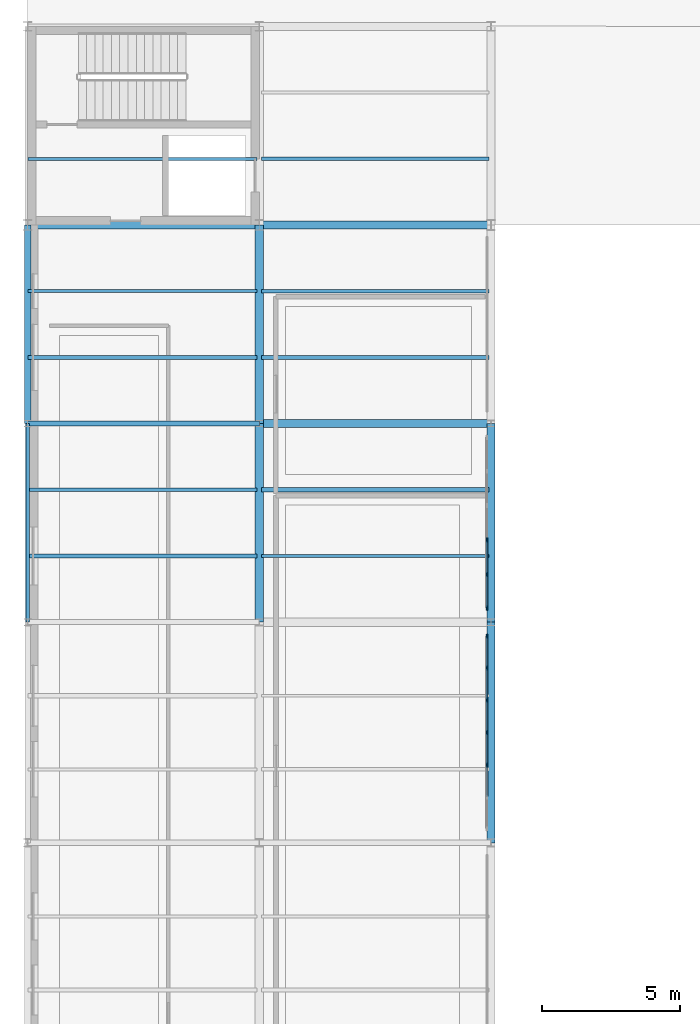
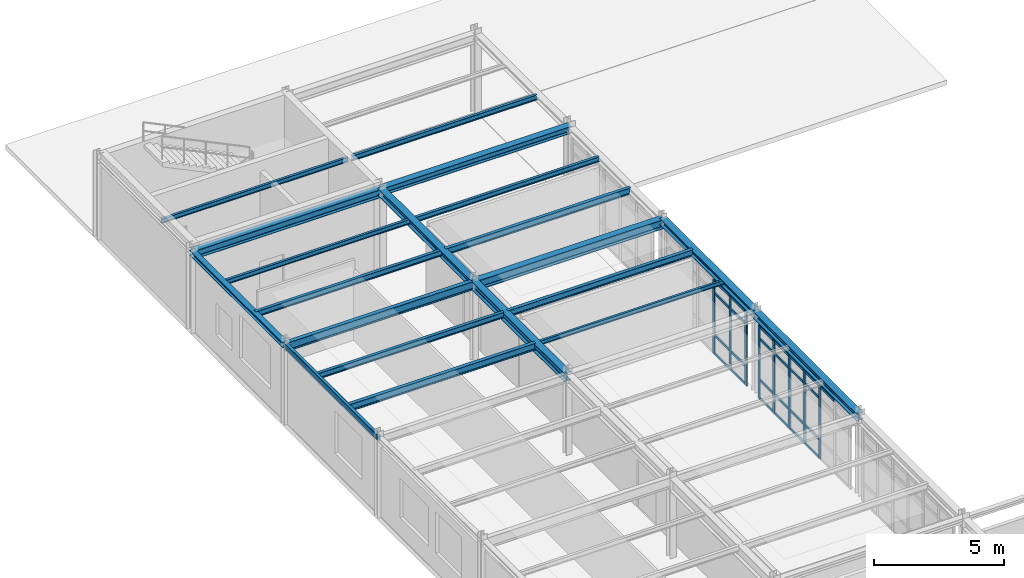
# One storey, part 29 of 70: 33 members, 20 beams, 2 elements without a shape of their own.
"""IFC4 building model written with IfcOpenShell, lengths in metres."""

from ifc_helpers import new_model, si_unit, derived_unit, direction, frame, origin, origin_2d, place, context, subcontext, project, spatial, rectangle, hollow_rectangle, i_section, extrude, material, layer, layer_set, material_profile, profile_set, type_object, element, aggregate, save


model = new_model("IFC4")

# Units and contexts
model_context = context("Model", 3, precision=1e-05, world=origin(), true_north=direction((0.0, 1.0)))
body_context = subcontext(model_context, "Body", "Model", "MODEL_VIEW")
ifc_project = project(units=[si_unit("LENGTHUNIT", "METRE"), si_unit("AREAUNIT", "SQUARE_METRE"), si_unit("VOLUMEUNIT", "CUBIC_METRE"), si_unit("PLANEANGLEUNIT", "RADIAN"), si_unit("MASSUNIT", "GRAM", prefix="KILO"), derived_unit("THERMALTRANSMITTANCEUNIT", [(si_unit("POWERUNIT", "WATT"), 1), (si_unit("AREAUNIT", "SQUARE_METRE"), -1), (si_unit("THERMODYNAMICTEMPERATUREUNIT", "KELVIN"), -1)])], contexts=[model_context])

# Site, building, storey
site_placement = place(None, origin())
site = spatial("IfcSite", under=ifc_project, at=site_placement, CompositionType="ELEMENT")
building_placement = place(site_placement, origin())
building = spatial("IfcBuilding", under=site, at=building_placement, Name="Yasenodar Specialist Clinic", CompositionType="ELEMENT")
storey_placement = place(building_placement, frame((0.0, 0.0, 13.199951171875)))
storey = spatial("IfcBuildingStorey", under=building, at=storey_placement, Name="L03", CompositionType="ELEMENT", Elevation=13.199951171875)

# Beams
ifc_material_1 = material(Name="Steel S355", Category="steel")
ifc_material_profile_1 = material_profile(ifc_material_1, i_section(OverallWidth=0.300048828125, OverallDepth=0.330078125, WebThickness=0.009521484375, FlangeThickness=0.0166015625, FilletRadius=0.027099609375, at=origin_2d()), Name="HEA 340")
ifc_profile_set_1 = profile_set([ifc_material_profile_1], Name="Steel S355")
beam_type_1 = type_object("IfcBeamType", Name="BM-HEA340", PredefinedType="BEAM", material=ifc_profile_set_1)
beam_1_placement = place(storey_placement, frame((8.39990234375, 97.199951171875, 3.635009765625), z_axis=(1.0, 0.0, 0.0), x_axis=(0.0, 1.0, 0.0)))
element("IfcBeam", 1, at=beam_1_placement, inside=storey, type_object=beam_type_1, Name="L03 Primary E-W Girder", PredefinedType="BEAM", context=body_context, shape_type="SweptSolid", body=[
    extrude(i_section(OverallWidth=0.300048828125, OverallDepth=0.330078125, WebThickness=0.009521484375, FlangeThickness=0.0166015625, FilletRadius=0.027099609375, at=origin_2d()), origin(), (0.0, 0.0, 1.0), 8.400146484375),
])
ifc_material_profile_2 = material_profile(ifc_material_1, i_section(OverallWidth=0.300048828125, OverallDepth=0.389892578125, WebThickness=0.010986328125, FlangeThickness=0.01904296875, FilletRadius=0.027099609375, at=origin_2d()), Name="HEA 400")
ifc_profile_set_2 = profile_set([ifc_material_profile_2], Name="Steel S355")
beam_type_2 = type_object("IfcBeamType", Name="BM-HEA400", PredefinedType="BEAM", material=ifc_profile_set_2)
beam_2_placement = place(storey_placement, frame((0.0, 97.199951171875, 3.60498046875), z_axis=(1.0, 0.0, 0.0), x_axis=(0.0, 1.0, 0.0)))
element("IfcBeam", 2, at=beam_2_placement, inside=storey, type_object=beam_type_2, Name="L03 Primary E-W Girder", PredefinedType="BEAM", context=body_context, shape_type="SweptSolid", body=[
    extrude(i_section(OverallWidth=0.300048828125, OverallDepth=0.389892578125, WebThickness=0.010986328125, FlangeThickness=0.01904296875, FilletRadius=0.027099609375, at=origin_2d()), origin(), (0.0, 0.0, 1.0), 8.39990234375),
])
ifc_material_profile_3 = material_profile(ifc_material_1, i_section(OverallWidth=0.300048828125, OverallDepth=0.43994140625, WebThickness=0.011474609375, FlangeThickness=0.02099609375, FilletRadius=0.027099609375, at=origin_2d()), Name="HEA 450")
ifc_profile_set_3 = profile_set([ifc_material_profile_3], Name="Steel S355")
beam_type_3 = type_object("IfcBeamType", Name="BM-HEA450", PredefinedType="BEAM", material=ifc_profile_set_3)
beam_3_placement = place(storey_placement, frame((8.39990234375, 90.0, 3.580078125), z_axis=(1.0, 0.0, 0.0), x_axis=(0.0, 1.0, 0.0)))
element("IfcBeam", 3, at=beam_3_placement, inside=storey, type_object=beam_type_3, Name="L03 Primary E-W Girder", PredefinedType="BEAM", context=body_context, shape_type="SweptSolid", body=[
    extrude(i_section(OverallWidth=0.300048828125, OverallDepth=0.43994140625, WebThickness=0.011474609375, FlangeThickness=0.02099609375, FilletRadius=0.027099609375, at=origin_2d()), origin(), (0.0, 0.0, 1.0), 8.400146484375),
])
ifc_material_profile_4 = material_profile(ifc_material_1, i_section(OverallWidth=0.300048828125, OverallDepth=0.300048828125, WebThickness=0.010986328125, FlangeThickness=0.01904296875, FilletRadius=0.027099609375, at=origin_2d()), Name="HEB 300")
ifc_profile_set_4 = profile_set([ifc_material_profile_4], Name="Steel S355")
beam_type_4 = type_object("IfcBeamType", Name="BM-HEB300", PredefinedType="BEAM", material=ifc_profile_set_4)
beam_4_placement = place(storey_placement, frame((16.800048828125, 82.800048828125, 3.650146484375), z_axis=(0.0, 1.0, 0.0), x_axis=(-1.0, 0.0, 0.0)))
element("IfcBeam", 4, at=beam_4_placement, inside=storey, type_object=beam_type_4, Name="L03 Primary N-S Girder", PredefinedType="BEAM", context=body_context, shape_type="SweptSolid", body=[
    extrude(i_section(OverallWidth=0.300048828125, OverallDepth=0.300048828125, WebThickness=0.010986328125, FlangeThickness=0.01904296875, FilletRadius=0.027099609375, at=origin_2d()), origin(), (0.0, 0.0, 1.0), 7.199951171875),
])
ifc_material_profile_5 = material_profile(ifc_material_1, i_section(OverallWidth=0.300048828125, OverallDepth=0.340087890625, WebThickness=0.011962890625, FlangeThickness=0.021484375, FilletRadius=0.027099609375, at=origin_2d()), Name="HEB 340")
ifc_profile_set_5 = profile_set([ifc_material_profile_5], Name="Steel S355")
beam_type_5 = type_object("IfcBeamType", Name="BM-HEB340", PredefinedType="BEAM", material=ifc_profile_set_5)
beam_5_placement = place(storey_placement, frame((8.39990234375, 90.0, 3.630126953125), z_axis=(0.0, 1.0, 0.0), x_axis=(-1.0, 0.0, 0.0)))
element("IfcBeam", 5, at=beam_5_placement, inside=storey, type_object=beam_type_5, Name="L03 Primary N-S Girder", PredefinedType="BEAM", context=body_context, shape_type="SweptSolid", body=[
    extrude(i_section(OverallWidth=0.300048828125, OverallDepth=0.340087890625, WebThickness=0.011962890625, FlangeThickness=0.021484375, FilletRadius=0.027099609375, at=origin_2d()), origin(), (0.0, 0.0, 1.0), 7.199951171875),
])
beam_6_placement = place(storey_placement, frame((16.800048828125, 74.800048828125, 3.630126953125), z_axis=(0.0, 1.0, 0.0), x_axis=(-1.0, 0.0, 0.0)))
element("IfcBeam", 6, at=beam_6_placement, inside=storey, type_object=beam_type_5, Name="L03 Primary N-S Girder", PredefinedType="BEAM", context=body_context, shape_type="SweptSolid", body=[
    extrude(i_section(OverallWidth=0.300048828125, OverallDepth=0.340087890625, WebThickness=0.011962890625, FlangeThickness=0.021484375, FilletRadius=0.027099609375, at=origin_2d()), origin(), (0.0, 0.0, 1.0), 8.0),
])
ifc_material_profile_6 = material_profile(ifc_material_1, i_section(OverallWidth=0.300048828125, OverallDepth=0.39990234375, WebThickness=0.013427734375, FlangeThickness=0.02392578125, FilletRadius=0.027099609375, at=origin_2d()), Name="HEB 400")
ifc_profile_set_6 = profile_set([ifc_material_profile_6], Name="Steel S355")
beam_type_6 = type_object("IfcBeamType", Name="BM-HEB400", PredefinedType="BEAM", material=ifc_profile_set_6)
beam_7_placement = place(storey_placement, frame((8.39990234375, 82.800048828125, 3.60009765625), z_axis=(0.0, 1.0, 0.0), x_axis=(-1.0, 0.0, 0.0)))
element("IfcBeam", 7, at=beam_7_placement, inside=storey, type_object=beam_type_6, Name="L03 Primary N-S Girder", PredefinedType="BEAM", context=body_context, shape_type="SweptSolid", body=[
    extrude(i_section(OverallWidth=0.300048828125, OverallDepth=0.39990234375, WebThickness=0.013427734375, FlangeThickness=0.02392578125, FilletRadius=0.027099609375, at=origin_2d()), origin(), (0.0, 0.0, 1.0), 7.199951171875),
])
ifc_material_profile_7 = material_profile(ifc_material_1, i_section(OverallWidth=0.179931640625, OverallDepth=0.39990234375, WebThickness=0.008544921875, FlangeThickness=0.013427734375, FilletRadius=0.02099609375, at=origin_2d()), Name="IPE 400")
ifc_profile_set_7 = profile_set([ifc_material_profile_7], Name="Steel S355")
beam_type_7 = type_object("IfcBeamType", Name="BM-IPE400", PredefinedType="BEAM", material=ifc_profile_set_7)
beam_8_placement = place(storey_placement, frame((0.0, 90.0, 3.60009765625), z_axis=(1.0, 0.0, 0.0), x_axis=(0.0, 1.0, 0.0)))
element("IfcBeam", 8, at=beam_8_placement, inside=storey, type_object=beam_type_7, Name="L03 Primary E-W Girder", PredefinedType="BEAM", context=body_context, shape_type="SweptSolid", body=[
    extrude(i_section(OverallWidth=0.179931640625, OverallDepth=0.39990234375, WebThickness=0.008544921875, FlangeThickness=0.013427734375, FilletRadius=0.02099609375, at=origin_2d()), origin(), (0.0, 0.0, 1.0), 8.39990234375),
])

# Curtain wall, members
ifc_material_2 = material(Name="Bronze Anodized Aluminium and Triple Low-E Glass", Category="aluminium")
ifc_layer = layer(ifc_material_2, 0.202880859375)
ifc_layer_set = layer_set([ifc_layer], Name="Bronze Anodized Aluminium and Triple Low-E Glass")
curtain_wall_type = type_object("IfcCurtainWallType", Name="CW-SYS-04", PredefinedType="USERDEFINED", material=ifc_layer_set)
curtain_wall_1_placement = place(storey_placement, origin())
curtain_wall_1 = element("IfcCurtainWall", 9, at=curtain_wall_1_placement, inside=storey, type_object=curtain_wall_type, Name="L03 Unitised Curtain Wall 132", ObjectType="UNITISED CURTAIN WALL", PredefinedType="USERDEFINED")
ifc_material_3 = material(Name="Bronze Anodized Aluminium", Category="aluminium")
ifc_material_profile_8 = material_profile(ifc_material_3, rectangle(XDim=0.06005859375, YDim=0.159912109375, at=origin_2d()), Name="CW-MULL 60x160")
ifc_profile_set_8 = profile_set([ifc_material_profile_8], Name="Bronze Anodized Aluminium")
member_type_1 = type_object("IfcMemberType", Name="CW-MULL-160", PredefinedType="MULLION", material=ifc_profile_set_8)
member_1_placement = place(storey_placement, frame((16.64990234375, 85.77587890625, 0.0), z_axis=(0.0, 0.0, 1.0), x_axis=(1.0, 0.0, 0.0)))
member_1 = element("IfcMember", 10, at=member_1_placement, type_object=member_type_1, Name="CW-04 mullion 4", PredefinedType="MULLION", context=body_context, shape_type="SweptSolid", body=[
    extrude(rectangle(XDim=0.06005859375, YDim=0.159912109375, at=origin_2d()), origin(), (0.0, 0.0, 1.0), 3.47802734375),
])
member_2_placement = place(storey_placement, frame((16.64990234375, 84.528076171875, 0.0), z_axis=(0.0, 0.0, 1.0), x_axis=(1.0, 0.0, 0.0)))
member_2 = element("IfcMember", 11, at=member_2_placement, type_object=member_type_1, Name="CW-04 mullion 5", PredefinedType="MULLION", context=body_context, shape_type="SweptSolid", body=[
    extrude(rectangle(XDim=0.06005859375, YDim=0.159912109375, at=origin_2d()), origin(), (0.0, 0.0, 1.0), 3.47802734375),
])
member_3_placement = place(storey_placement, frame((16.64990234375, 83.31005859375, 0.0), z_axis=(0.0, 0.0, 1.0), x_axis=(1.0, 0.0, 0.0)))
member_3 = element("IfcMember", 12, at=member_3_placement, type_object=member_type_1, Name="CW-04 mullion 6", PredefinedType="MULLION", context=body_context, shape_type="SweptSolid", body=[
    extrude(rectangle(XDim=0.06005859375, YDim=0.159912109375, at=origin_2d()), origin(), (0.0, 0.0, 1.0), 3.47802734375),
])

curtain_wall_2_placement = place(storey_placement, origin())
curtain_wall_2 = element("IfcCurtainWall", 13, at=curtain_wall_2_placement, inside=storey, type_object=curtain_wall_type, Name="L03 Unitised Curtain Wall 133", ObjectType="UNITISED CURTAIN WALL", PredefinedType="USERDEFINED")
member_4_placement = place(storey_placement, frame((16.64990234375, 82.2900390625, 0.0), z_axis=(0.0, 0.0, 1.0), x_axis=(1.0, 0.0, 0.0)))
member_4 = element("IfcMember", 14, at=member_4_placement, type_object=member_type_1, Name="CW-04 mullion 1", PredefinedType="MULLION", context=body_context, shape_type="SweptSolid", body=[
    extrude(rectangle(XDim=0.06005859375, YDim=0.159912109375, at=origin_2d()), origin(), (0.0, 0.0, 1.0), 3.43798828125),
])
member_5_placement = place(storey_placement, frame((16.64990234375, 81.146728515625, 0.0), z_axis=(0.0, 0.0, 1.0), x_axis=(1.0, 0.0, 0.0)))
member_5 = element("IfcMember", 15, at=member_5_placement, type_object=member_type_1, Name="CW-04 mullion 2", PredefinedType="MULLION", context=body_context, shape_type="SweptSolid", body=[
    extrude(rectangle(XDim=0.06005859375, YDim=0.159912109375, at=origin_2d()), origin(), (0.0, 0.0, 1.0), 3.43798828125),
])
member_6_placement = place(storey_placement, frame((16.64990234375, 79.973388671875, 0.0), z_axis=(0.0, 0.0, 1.0), x_axis=(1.0, 0.0, 0.0)))
member_6 = element("IfcMember", 16, at=member_6_placement, type_object=member_type_1, Name="CW-04 mullion 3", PredefinedType="MULLION", context=body_context, shape_type="SweptSolid", body=[
    extrude(rectangle(XDim=0.06005859375, YDim=0.159912109375, at=origin_2d()), origin(), (0.0, 0.0, 1.0), 3.43798828125),
])
member_7_placement = place(storey_placement, frame((16.64990234375, 78.800048828125, 0.0), z_axis=(0.0, 0.0, 1.0), x_axis=(1.0, 0.0, 0.0)))
member_7 = element("IfcMember", 17, at=member_7_placement, type_object=member_type_1, Name="CW-04 mullion 4", PredefinedType="MULLION", context=body_context, shape_type="SweptSolid", body=[
    extrude(rectangle(XDim=0.06005859375, YDim=0.159912109375, at=origin_2d()), origin(), (0.0, 0.0, 1.0), 3.43798828125),
])
member_8_placement = place(storey_placement, frame((16.64990234375, 77.626708984375, 0.0), z_axis=(0.0, 0.0, 1.0), x_axis=(1.0, 0.0, 0.0)))
member_8 = element("IfcMember", 18, at=member_8_placement, type_object=member_type_1, Name="CW-04 mullion 5", PredefinedType="MULLION", context=body_context, shape_type="SweptSolid", body=[
    extrude(rectangle(XDim=0.06005859375, YDim=0.159912109375, at=origin_2d()), origin(), (0.0, 0.0, 1.0), 3.43798828125),
])

# Member
ifc_material_profile_9 = material_profile(ifc_material_3, rectangle(XDim=0.06005859375, YDim=0.1201171875, at=origin_2d()), Name="CW-TRAN 60x120")
ifc_profile_set_9 = profile_set([ifc_material_profile_9], Name="Bronze Anodized Aluminium")
member_type_2 = type_object("IfcMemberType", Name="CW-TRAN-120", PredefinedType="USERDEFINED", material=ifc_profile_set_9)
member_9_placement = place(storey_placement, frame((16.64990234375, 85.74609375, 0.030029296875), z_axis=(0.0, -1.0, 0.0), x_axis=(1.0, 0.0, 0.0)))
member_9 = element("IfcMember", 19, at=member_9_placement, type_object=member_type_2, Name="CW-04 transom 4.1", ObjectType="TRANSOM", PredefinedType="USERDEFINED", context=body_context, shape_type="SweptSolid", body=[
    extrude(rectangle(XDim=0.06005859375, YDim=0.1201171875, at=origin_2d()), origin(), (0.0, 0.0, 1.0), 1.18798828125),
])

member_10_placement = place(storey_placement, frame((16.64990234375, 85.74609375, 0.900146484375), z_axis=(0.0, -1.0, 0.0), x_axis=(1.0, 0.0, 0.0)))
member_10 = element("IfcMember", 20, at=member_10_placement, type_object=member_type_2, Name="CW-04 transom 4.2", ObjectType="TRANSOM", PredefinedType="USERDEFINED", context=body_context, shape_type="SweptSolid", body=[
    extrude(rectangle(XDim=0.06005859375, YDim=0.1201171875, at=origin_2d()), origin(), (0.0, 0.0, 1.0), 1.18798828125),
])

member_11_placement = place(storey_placement, frame((16.64990234375, 85.74609375, 2.8779296875), z_axis=(0.0, -1.0, 0.0), x_axis=(1.0, 0.0, 0.0)))
member_11 = element("IfcMember", 21, at=member_11_placement, type_object=member_type_2, Name="CW-04 transom 4.3", ObjectType="TRANSOM", PredefinedType="USERDEFINED", context=body_context, shape_type="SweptSolid", body=[
    extrude(rectangle(XDim=0.06005859375, YDim=0.1201171875, at=origin_2d()), origin(), (0.0, 0.0, 1.0), 1.18798828125),
])

member_12_placement = place(storey_placement, frame((16.64990234375, 85.74609375, 3.447998046875), z_axis=(0.0, -1.0, 0.0), x_axis=(1.0, 0.0, 0.0)))
member_12 = element("IfcMember", 22, at=member_12_placement, type_object=member_type_2, Name="CW-04 transom 4.4", ObjectType="TRANSOM", PredefinedType="USERDEFINED", context=body_context, shape_type="SweptSolid", body=[
    extrude(rectangle(XDim=0.06005859375, YDim=0.1201171875, at=origin_2d()), origin(), (0.0, 0.0, 1.0), 1.18798828125),
])

member_13_placement = place(storey_placement, frame((16.64990234375, 84.498046875, 0.030029296875), z_axis=(0.0, -1.0, 0.0), x_axis=(1.0, 0.0, 0.0)))
member_13 = element("IfcMember", 23, at=member_13_placement, type_object=member_type_2, Name="CW-04 transom 5.1", ObjectType="TRANSOM", PredefinedType="USERDEFINED", context=body_context, shape_type="SweptSolid", body=[
    extrude(rectangle(XDim=0.06005859375, YDim=0.1201171875, at=origin_2d()), origin(), (0.0, 0.0, 1.0), 1.157958984375),
])

member_14_placement = place(storey_placement, frame((16.64990234375, 84.498046875, 0.900146484375), z_axis=(0.0, -1.0, 0.0), x_axis=(1.0, 0.0, 0.0)))
member_14 = element("IfcMember", 24, at=member_14_placement, type_object=member_type_2, Name="CW-04 transom 5.2", ObjectType="TRANSOM", PredefinedType="USERDEFINED", context=body_context, shape_type="SweptSolid", body=[
    extrude(rectangle(XDim=0.06005859375, YDim=0.1201171875, at=origin_2d()), origin(), (0.0, 0.0, 1.0), 1.157958984375),
])

member_15_placement = place(storey_placement, frame((16.64990234375, 84.498046875, 2.8779296875), z_axis=(0.0, -1.0, 0.0), x_axis=(1.0, 0.0, 0.0)))
member_15 = element("IfcMember", 25, at=member_15_placement, type_object=member_type_2, Name="CW-04 transom 5.3", ObjectType="TRANSOM", PredefinedType="USERDEFINED", context=body_context, shape_type="SweptSolid", body=[
    extrude(rectangle(XDim=0.06005859375, YDim=0.1201171875, at=origin_2d()), origin(), (0.0, 0.0, 1.0), 1.157958984375),
])

member_16_placement = place(storey_placement, frame((16.64990234375, 84.498046875, 3.447998046875), z_axis=(0.0, -1.0, 0.0), x_axis=(1.0, 0.0, 0.0)))
member_16 = element("IfcMember", 26, at=member_16_placement, type_object=member_type_2, Name="CW-04 transom 5.4", ObjectType="TRANSOM", PredefinedType="USERDEFINED", context=body_context, shape_type="SweptSolid", body=[
    extrude(rectangle(XDim=0.06005859375, YDim=0.1201171875, at=origin_2d()), origin(), (0.0, 0.0, 1.0), 1.157958984375),
])

aggregate(curtain_wall_1, [member_1, member_2, member_3, member_9, member_10, member_11, member_12, member_13, member_14, member_15, member_16])

member_17_placement = place(storey_placement, frame((16.64990234375, 82.260009765625, 0.030029296875), z_axis=(0.0, -1.0, 0.0), x_axis=(1.0, 0.0, 0.0)))
member_17 = element("IfcMember", 27, at=member_17_placement, type_object=member_type_2, Name="CW-04 transom 1.1", ObjectType="TRANSOM", PredefinedType="USERDEFINED", context=body_context, shape_type="SweptSolid", body=[
    extrude(rectangle(XDim=0.06005859375, YDim=0.1201171875, at=origin_2d()), origin(), (0.0, 0.0, 1.0), 1.083251953125),
])

member_18_placement = place(storey_placement, frame((16.64990234375, 82.260009765625, 0.900146484375), z_axis=(0.0, -1.0, 0.0), x_axis=(1.0, 0.0, 0.0)))
member_18 = element("IfcMember", 28, at=member_18_placement, type_object=member_type_2, Name="CW-04 transom 1.2", ObjectType="TRANSOM", PredefinedType="USERDEFINED", context=body_context, shape_type="SweptSolid", body=[
    extrude(rectangle(XDim=0.06005859375, YDim=0.1201171875, at=origin_2d()), origin(), (0.0, 0.0, 1.0), 1.083251953125),
])

member_19_placement = place(storey_placement, frame((16.64990234375, 82.260009765625, 2.838134765625), z_axis=(0.0, -1.0, 0.0), x_axis=(1.0, 0.0, 0.0)))
member_19 = element("IfcMember", 29, at=member_19_placement, type_object=member_type_2, Name="CW-04 transom 1.3", ObjectType="TRANSOM", PredefinedType="USERDEFINED", context=body_context, shape_type="SweptSolid", body=[
    extrude(rectangle(XDim=0.06005859375, YDim=0.1201171875, at=origin_2d()), origin(), (0.0, 0.0, 1.0), 1.083251953125),
])

member_20_placement = place(storey_placement, frame((16.64990234375, 82.260009765625, 3.407958984375), z_axis=(0.0, -1.0, 0.0), x_axis=(1.0, 0.0, 0.0)))
member_20 = element("IfcMember", 30, at=member_20_placement, type_object=member_type_2, Name="CW-04 transom 1.4", ObjectType="TRANSOM", PredefinedType="USERDEFINED", context=body_context, shape_type="SweptSolid", body=[
    extrude(rectangle(XDim=0.06005859375, YDim=0.1201171875, at=origin_2d()), origin(), (0.0, 0.0, 1.0), 1.083251953125),
])

member_21_placement = place(storey_placement, frame((16.64990234375, 81.11669921875, 0.030029296875), z_axis=(0.0, -1.0, 0.0), x_axis=(1.0, 0.0, 0.0)))
member_21 = element("IfcMember", 31, at=member_21_placement, type_object=member_type_2, Name="CW-04 transom 2.1", ObjectType="TRANSOM", PredefinedType="USERDEFINED", context=body_context, shape_type="SweptSolid", body=[
    extrude(rectangle(XDim=0.06005859375, YDim=0.1201171875, at=origin_2d()), origin(), (0.0, 0.0, 1.0), 1.11328125),
])

member_22_placement = place(storey_placement, frame((16.64990234375, 81.11669921875, 0.900146484375), z_axis=(0.0, -1.0, 0.0), x_axis=(1.0, 0.0, 0.0)))
member_22 = element("IfcMember", 32, at=member_22_placement, type_object=member_type_2, Name="CW-04 transom 2.2", ObjectType="TRANSOM", PredefinedType="USERDEFINED", context=body_context, shape_type="SweptSolid", body=[
    extrude(rectangle(XDim=0.06005859375, YDim=0.1201171875, at=origin_2d()), origin(), (0.0, 0.0, 1.0), 1.11328125),
])

member_23_placement = place(storey_placement, frame((16.64990234375, 81.11669921875, 2.838134765625), z_axis=(0.0, -1.0, 0.0), x_axis=(1.0, 0.0, 0.0)))
member_23 = element("IfcMember", 33, at=member_23_placement, type_object=member_type_2, Name="CW-04 transom 2.3", ObjectType="TRANSOM", PredefinedType="USERDEFINED", context=body_context, shape_type="SweptSolid", body=[
    extrude(rectangle(XDim=0.06005859375, YDim=0.1201171875, at=origin_2d()), origin(), (0.0, 0.0, 1.0), 1.11328125),
])

member_24_placement = place(storey_placement, frame((16.64990234375, 81.11669921875, 3.407958984375), z_axis=(0.0, -1.0, 0.0), x_axis=(1.0, 0.0, 0.0)))
member_24 = element("IfcMember", 34, at=member_24_placement, type_object=member_type_2, Name="CW-04 transom 2.4", ObjectType="TRANSOM", PredefinedType="USERDEFINED", context=body_context, shape_type="SweptSolid", body=[
    extrude(rectangle(XDim=0.06005859375, YDim=0.1201171875, at=origin_2d()), origin(), (0.0, 0.0, 1.0), 1.11328125),
])

member_25_placement = place(storey_placement, frame((16.64990234375, 79.943359375, 0.030029296875), z_axis=(0.0, -1.0, 0.0), x_axis=(1.0, 0.0, 0.0)))
member_25 = element("IfcMember", 35, at=member_25_placement, type_object=member_type_2, Name="CW-04 transom 3.1", ObjectType="TRANSOM", PredefinedType="USERDEFINED", context=body_context, shape_type="SweptSolid", body=[
    extrude(rectangle(XDim=0.06005859375, YDim=0.1201171875, at=origin_2d()), origin(), (0.0, 0.0, 1.0), 1.11328125),
])

member_26_placement = place(storey_placement, frame((16.64990234375, 79.943359375, 0.900146484375), z_axis=(0.0, -1.0, 0.0), x_axis=(1.0, 0.0, 0.0)))
member_26 = element("IfcMember", 36, at=member_26_placement, type_object=member_type_2, Name="CW-04 transom 3.2", ObjectType="TRANSOM", PredefinedType="USERDEFINED", context=body_context, shape_type="SweptSolid", body=[
    extrude(rectangle(XDim=0.06005859375, YDim=0.1201171875, at=origin_2d()), origin(), (0.0, 0.0, 1.0), 1.11328125),
])

member_27_placement = place(storey_placement, frame((16.64990234375, 79.943359375, 2.838134765625), z_axis=(0.0, -1.0, 0.0), x_axis=(1.0, 0.0, 0.0)))
member_27 = element("IfcMember", 37, at=member_27_placement, type_object=member_type_2, Name="CW-04 transom 3.3", ObjectType="TRANSOM", PredefinedType="USERDEFINED", context=body_context, shape_type="SweptSolid", body=[
    extrude(rectangle(XDim=0.06005859375, YDim=0.1201171875, at=origin_2d()), origin(), (0.0, 0.0, 1.0), 1.11328125),
])

member_28_placement = place(storey_placement, frame((16.64990234375, 79.943359375, 3.407958984375), z_axis=(0.0, -1.0, 0.0), x_axis=(1.0, 0.0, 0.0)))
member_28 = element("IfcMember", 38, at=member_28_placement, type_object=member_type_2, Name="CW-04 transom 3.4", ObjectType="TRANSOM", PredefinedType="USERDEFINED", context=body_context, shape_type="SweptSolid", body=[
    extrude(rectangle(XDim=0.06005859375, YDim=0.1201171875, at=origin_2d()), origin(), (0.0, 0.0, 1.0), 1.11328125),
])

member_29_placement = place(storey_placement, frame((16.64990234375, 78.77001953125, 0.030029296875), z_axis=(0.0, -1.0, 0.0), x_axis=(1.0, 0.0, 0.0)))
member_29 = element("IfcMember", 39, at=member_29_placement, type_object=member_type_2, Name="CW-04 transom 4.1", ObjectType="TRANSOM", PredefinedType="USERDEFINED", context=body_context, shape_type="SweptSolid", body=[
    extrude(rectangle(XDim=0.06005859375, YDim=0.1201171875, at=origin_2d()), origin(), (0.0, 0.0, 1.0), 1.11328125),
])

member_30_placement = place(storey_placement, frame((16.64990234375, 78.77001953125, 0.900146484375), z_axis=(0.0, -1.0, 0.0), x_axis=(1.0, 0.0, 0.0)))
member_30 = element("IfcMember", 40, at=member_30_placement, type_object=member_type_2, Name="CW-04 transom 4.2", ObjectType="TRANSOM", PredefinedType="USERDEFINED", context=body_context, shape_type="SweptSolid", body=[
    extrude(rectangle(XDim=0.06005859375, YDim=0.1201171875, at=origin_2d()), origin(), (0.0, 0.0, 1.0), 1.11328125),
])

member_31_placement = place(storey_placement, frame((16.64990234375, 78.77001953125, 2.838134765625), z_axis=(0.0, -1.0, 0.0), x_axis=(1.0, 0.0, 0.0)))
member_31 = element("IfcMember", 41, at=member_31_placement, type_object=member_type_2, Name="CW-04 transom 4.3", ObjectType="TRANSOM", PredefinedType="USERDEFINED", context=body_context, shape_type="SweptSolid", body=[
    extrude(rectangle(XDim=0.06005859375, YDim=0.1201171875, at=origin_2d()), origin(), (0.0, 0.0, 1.0), 1.11328125),
])

member_32_placement = place(storey_placement, frame((16.64990234375, 78.77001953125, 3.407958984375), z_axis=(0.0, -1.0, 0.0), x_axis=(1.0, 0.0, 0.0)))
member_32 = element("IfcMember", 42, at=member_32_placement, type_object=member_type_2, Name="CW-04 transom 4.4", ObjectType="TRANSOM", PredefinedType="USERDEFINED", context=body_context, shape_type="SweptSolid", body=[
    extrude(rectangle(XDim=0.06005859375, YDim=0.1201171875, at=origin_2d()), origin(), (0.0, 0.0, 1.0), 1.11328125),
])

member_33_placement = place(storey_placement, frame((16.64990234375, 77.5966796875, 3.407958984375), z_axis=(0.0, -1.0, 0.0), x_axis=(1.0, 0.0, 0.0)))
member_33 = element("IfcMember", 43, at=member_33_placement, type_object=member_type_2, Name="CW-04 transom 5.4", ObjectType="TRANSOM", PredefinedType="USERDEFINED", context=body_context, shape_type="SweptSolid", body=[
    extrude(rectangle(XDim=0.06005859375, YDim=0.1201171875, at=origin_2d()), origin(), (0.0, 0.0, 1.0), 1.11328125),
])

aggregate(curtain_wall_2, [member_4, member_5, member_6, member_7, member_8, member_17, member_18, member_19, member_20, member_21, member_22, member_23, member_24, member_25, member_26, member_27, member_28, member_29, member_30, member_31, member_32, member_33])

# Beams
ifc_material_profile_10 = material_profile(ifc_material_1, i_section(OverallWidth=0.10009765625, OverallDepth=0.199951171875, WebThickness=0.005615234375, FlangeThickness=0.008544921875, FilletRadius=0.011962890625, at=origin_2d()), Name="IPE 200")
ifc_profile_set_10 = profile_set([ifc_material_profile_10], Name="Steel S355")
beam_type_8 = type_object("IfcBeamType", Name="JS-IPE200", PredefinedType="JOIST", material=ifc_profile_set_10)
beam_9_placement = place(storey_placement, frame((8.47998046875, 85.199951171875, 3.699951171875), z_axis=(1.0, 0.0, 0.0), x_axis=(0.0, 1.0, 0.0)))
element("IfcBeam", 44, at=beam_9_placement, inside=storey, type_object=beam_type_8, Name="L03 Composite Floor Joist", PredefinedType="JOIST", context=body_context, shape_type="SweptSolid", body=[
    extrude(i_section(OverallWidth=0.10009765625, OverallDepth=0.199951171875, WebThickness=0.005615234375, FlangeThickness=0.008544921875, FilletRadius=0.011962890625, at=origin_2d()), origin(), (0.0, 0.0, 1.0), 8.239990234375),
])
ifc_material_profile_11 = material_profile(ifc_material_1, i_section(OverallWidth=0.110107421875, OverallDepth=0.219970703125, WebThickness=0.005859375, FlangeThickness=0.00927734375, FilletRadius=0.011962890625, at=origin_2d()), Name="IPE 220")
ifc_profile_set_11 = profile_set([ifc_material_profile_11], Name="Steel S355")
beam_type_9 = type_object("IfcBeamType", Name="JS-IPE220", PredefinedType="JOIST", material=ifc_profile_set_11)
for number, where, z_axis, x_axis, name in (
    (45, (0.014892578125, 94.800048828125, 3.68994140625), (1.0, 0.0, 0.0), (0.0, 1.0, 0.0), "L03 Composite Floor Joist"),
    (46, (0.014892578125, 99.60009765625, 3.68994140625), (1.0, 0.0, 0.0), (0.0, 1.0, 0.0), "L03 Composite Floor Joist"),
):
    element("IfcBeam", number, at=place(storey_placement, frame(where, z_axis=z_axis, x_axis=x_axis)), inside=storey, type_object=beam_type_9, Name=name, PredefinedType="JOIST", context=body_context, shape_type="SweptSolid", body=[
        extrude(i_section(OverallWidth=0.110107421875, OverallDepth=0.219970703125, WebThickness=0.005859375, FlangeThickness=0.00927734375, FilletRadius=0.011962890625, at=origin_2d()), origin(), (0.0, 0.0, 1.0), 8.30517578125),
    ])
ifc_material_profile_12 = material_profile(ifc_material_1, i_section(OverallWidth=0.1201171875, OverallDepth=0.239990234375, WebThickness=0.006103515625, FlangeThickness=0.009765625, FilletRadius=0.014892578125, at=origin_2d()), Name="IPE 240")
ifc_profile_set_12 = profile_set([ifc_material_profile_12], Name="Steel S355")
beam_type_10 = type_object("IfcBeamType", Name="JS-IPE240", PredefinedType="JOIST", material=ifc_profile_set_12)
for number, where, z_axis, x_axis, name in (
    (47, (8.47998046875, 94.800048828125, 3.679931640625), (1.0, 0.0, 0.0), (0.0, 1.0, 0.0), "L03 Composite Floor Joist"),
    (48, (8.47998046875, 99.60009765625, 3.679931640625), (1.0, 0.0, 0.0), (0.0, 1.0, 0.0), "L03 Composite Floor Joist"),
):
    element("IfcBeam", number, at=place(storey_placement, frame(where, z_axis=z_axis, x_axis=x_axis)), inside=storey, type_object=beam_type_10, Name=name, PredefinedType="JOIST", context=body_context, shape_type="SweptSolid", body=[
        extrude(i_section(OverallWidth=0.1201171875, OverallDepth=0.239990234375, WebThickness=0.006103515625, FlangeThickness=0.009765625, FilletRadius=0.014892578125, at=origin_2d()), origin(), (0.0, 0.0, 1.0), 8.239990234375),
    ])
ifc_material_profile_13 = material_profile(ifc_material_1, i_section(OverallWidth=0.135009765625, OverallDepth=0.27001953125, WebThickness=0.006591796875, FlangeThickness=0.01025390625, FilletRadius=0.014892578125, at=origin_2d()), Name="IPE 270")
ifc_profile_set_13 = profile_set([ifc_material_profile_13], Name="Steel S355")
beam_type_11 = type_object("IfcBeamType", Name="JS-IPE270", PredefinedType="JOIST", material=ifc_profile_set_13)
for number, where, z_axis, x_axis, name in (
    (49, (0.014892578125, 87.60009765625, 3.6650390625), (1.0, 0.0, 0.0), (0.0, 1.0, 0.0), "L03 Composite Floor Joist"),
    (50, (0.014892578125, 92.39990234375, 3.6650390625), (1.0, 0.0, 0.0), (0.0, 1.0, 0.0), "L03 Composite Floor Joist"),
):
    element("IfcBeam", number, at=place(storey_placement, frame(where, z_axis=z_axis, x_axis=x_axis)), inside=storey, type_object=beam_type_11, Name=name, PredefinedType="JOIST", context=body_context, shape_type="SweptSolid", body=[
        extrude(i_section(OverallWidth=0.135009765625, OverallDepth=0.27001953125, WebThickness=0.006591796875, FlangeThickness=0.01025390625, FilletRadius=0.014892578125, at=origin_2d()), origin(), (0.0, 0.0, 1.0), 8.30517578125),
    ])
ifc_material_profile_14 = material_profile(ifc_material_1, i_section(OverallWidth=0.14990234375, OverallDepth=0.300048828125, WebThickness=0.007080078125, FlangeThickness=0.0107421875, FilletRadius=0.014892578125, at=origin_2d()), Name="IPE 300")
ifc_profile_set_14 = profile_set([ifc_material_profile_14], Name="Steel S355")
beam_type_12 = type_object("IfcBeamType", Name="JS-IPE300", PredefinedType="JOIST", material=ifc_profile_set_14)
for number, where, z_axis, x_axis, name in (
    (51, (8.47998046875, 87.60009765625, 3.650146484375), (1.0, 0.0, 0.0), (0.0, 1.0, 0.0), "L03 Composite Floor Joist"),
    (52, (8.47998046875, 92.39990234375, 3.650146484375), (1.0, 0.0, 0.0), (0.0, 1.0, 0.0), "L03 Composite Floor Joist"),
):
    element("IfcBeam", number, at=place(storey_placement, frame(where, z_axis=z_axis, x_axis=x_axis)), inside=storey, type_object=beam_type_12, Name=name, PredefinedType="JOIST", context=body_context, shape_type="SweptSolid", body=[
        extrude(i_section(OverallWidth=0.14990234375, OverallDepth=0.300048828125, WebThickness=0.007080078125, FlangeThickness=0.0107421875, FilletRadius=0.014892578125, at=origin_2d()), origin(), (0.0, 0.0, 1.0), 8.239990234375),
    ])
ifc_material_profile_15 = material_profile(ifc_material_1, i_section(OverallWidth=0.159912109375, OverallDepth=0.330078125, WebThickness=0.007568359375, FlangeThickness=0.011474609375, FilletRadius=0.01806640625, at=origin_2d()), Name="IPE 330")
ifc_profile_set_15 = profile_set([ifc_material_profile_15], Name="Steel S355")
beam_type_13 = type_object("IfcBeamType", Name="JS-IPE330", PredefinedType="JOIST", material=ifc_profile_set_15)
beam_10_placement = place(storey_placement, frame((0.014892578125, 85.199951171875, 3.635009765625), z_axis=(1.0, 0.0, 0.0), x_axis=(0.0, 1.0, 0.0)))
element("IfcBeam", 53, at=beam_10_placement, inside=storey, type_object=beam_type_13, Name="L03 Composite Floor Joist", PredefinedType="JOIST", context=body_context, shape_type="SweptSolid", body=[
    extrude(i_section(OverallWidth=0.159912109375, OverallDepth=0.330078125, WebThickness=0.007568359375, FlangeThickness=0.011474609375, FilletRadius=0.01806640625, at=origin_2d()), origin(), (0.0, 0.0, 1.0), 8.30517578125),
])
ifc_material_profile_16 = material_profile(ifc_material_1, i_section(OverallWidth=0.239990234375, OverallDepth=0.22998046875, WebThickness=0.007568359375, FlangeThickness=0.011962890625, FilletRadius=0.02099609375, at=origin_2d()), Name="HEA 240")
ifc_profile_set_16 = profile_set([ifc_material_profile_16], Name="Steel S355")
beam_type_14 = type_object("IfcBeamType", Name="SP-HEA240", PredefinedType="SPANDREL", material=ifc_profile_set_16)
beam_11_placement = place(storey_placement, frame((0.0, 90.0, 3.68505859375), z_axis=(0.0, 1.0, 0.0), x_axis=(-1.0, 0.0, 0.0)))
element("IfcBeam", 54, at=beam_11_placement, inside=storey, type_object=beam_type_14, Name="L03 Perimeter Spandrel Beam", PredefinedType="SPANDREL", context=body_context, shape_type="SweptSolid", body=[
    extrude(i_section(OverallWidth=0.239990234375, OverallDepth=0.22998046875, WebThickness=0.007568359375, FlangeThickness=0.011962890625, FilletRadius=0.02099609375, at=origin_2d()), origin(), (0.0, 0.0, 1.0), 7.199951171875),
])
ifc_material_profile_17 = material_profile(ifc_material_1, hollow_rectangle(XDim=0.14990234375, YDim=0.25, WallThickness=0.010009765625, InnerFilletRadius=0.014892578125, OuterFilletRadius=0.02490234375, at=origin_2d()), Name="RHS 250x150x10")
ifc_profile_set_17 = profile_set([ifc_material_profile_17], Name="Steel S355")
beam_type_15 = type_object("IfcBeamType", Name="SP-RHS250", PredefinedType="SPANDREL", material=ifc_profile_set_17)
beam_12_placement = place(storey_placement, frame((0.0, 82.800048828125, 3.675048828125), z_axis=(0.0, 1.0, 0.0), x_axis=(-1.0, 0.0, 0.0)))
element("IfcBeam", 55, at=beam_12_placement, inside=storey, type_object=beam_type_15, Name="L03 Perimeter Spandrel Beam", PredefinedType="SPANDREL", context=body_context, shape_type="SweptSolid", body=[
    extrude(hollow_rectangle(XDim=0.14990234375, YDim=0.25, WallThickness=0.010009765625, InnerFilletRadius=0.014892578125, OuterFilletRadius=0.02490234375, at=origin_2d()), origin(), (0.0, 0.0, 1.0), 7.199951171875),
])

save(model, "model.ifc")
